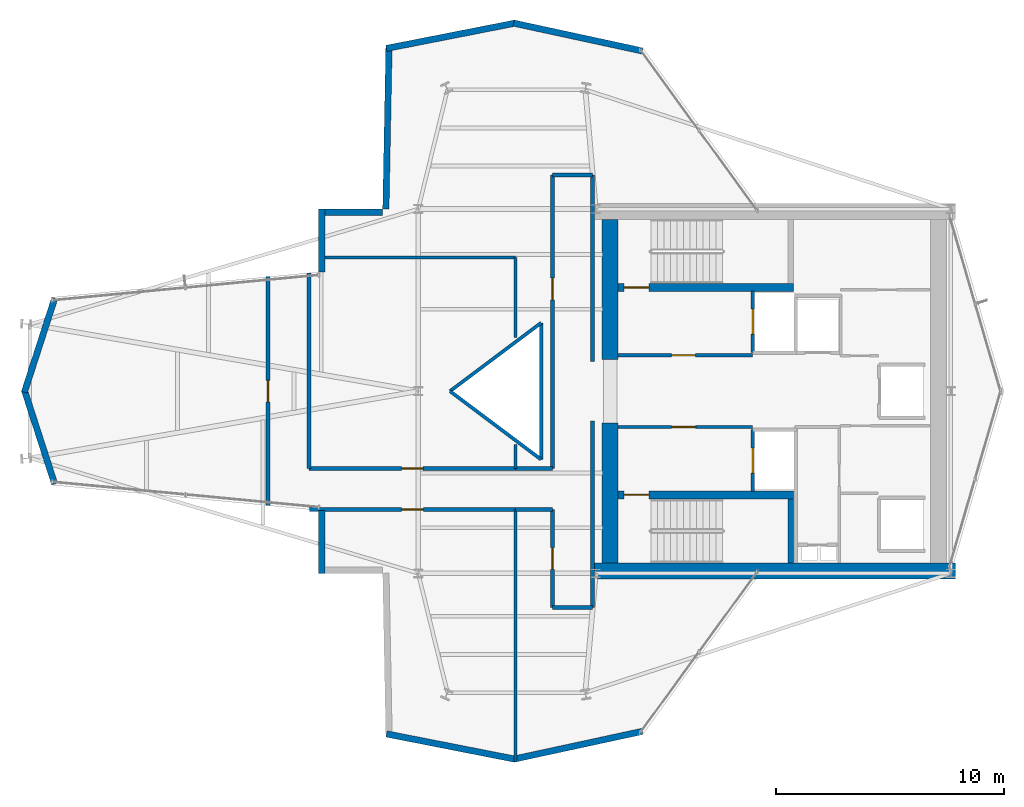
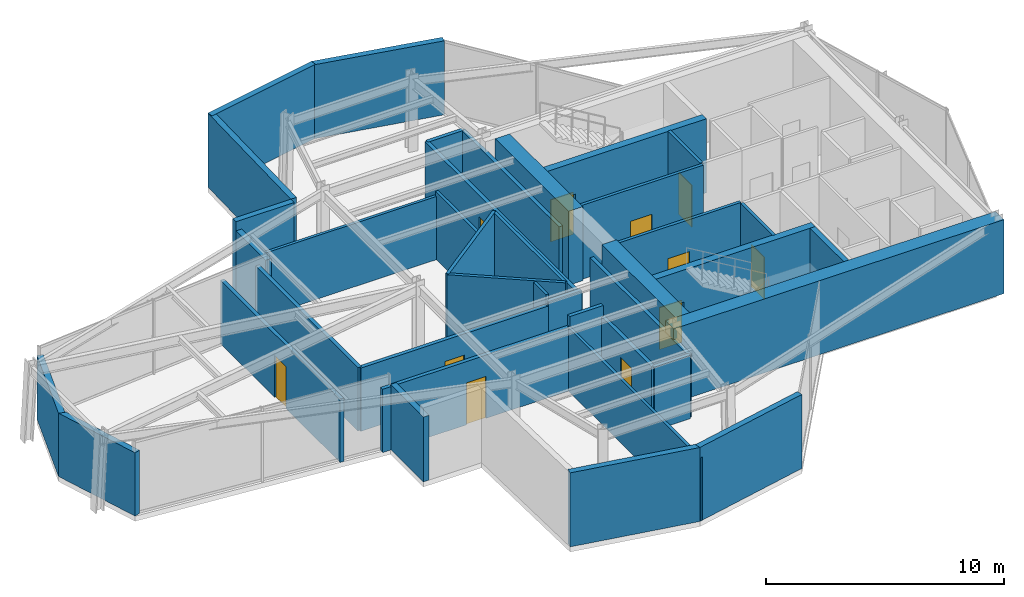
# One storey, part 19 of 21: 39 walls, 11 doors, 11 openings.
"""IFC4 building model written with IfcOpenShell, lengths in metres."""

from ifc_helpers import new_model, si_unit, direction, frame, frame_2d, origin, place, context, subcontext, project, spatial, rectangle, extrude, material, layer, layer_set, type_object, element, fill, save


model = new_model("IFC4")

# Units and contexts
model_context = context("Model", 3, precision=1e-05, world=origin(), true_north=direction((0.0, 1.0)))
body_context = subcontext(model_context, "Body", "Model", "MODEL_VIEW")
ifc_project = project(units=[si_unit("LENGTHUNIT", "METRE"), si_unit("AREAUNIT", "SQUARE_METRE"), si_unit("VOLUMEUNIT", "CUBIC_METRE"), si_unit("PLANEANGLEUNIT", "RADIAN"), si_unit("MASSUNIT", "GRAM", prefix="KILO")], contexts=[model_context])

# Site, building, storey
site_placement = place(None, origin())
site = spatial("IfcSite", under=ifc_project, at=site_placement, CompositionType="ELEMENT")
building_placement = place(site_placement, origin())
building = spatial("IfcBuilding", under=site, at=building_placement, Name="Veymaron Broadcast Tower", CompositionType="ELEMENT")
storey_placement = place(building_placement, frame((0.0, 0.0, 232.35009765625)))
storey = spatial("IfcBuildingStorey", under=building, at=storey_placement, Name="L54", CompositionType="ELEMENT", Elevation=232.35009765625)

# Walls
ifc_material_1 = material(Name="Precast concrete C40/50", Category="concrete")
ifc_layer_1 = layer(ifc_material_1, 0.280029296875)
ifc_layer_set_1 = layer_set([ifc_layer_1], Name="Precast concrete C40/50")
wall_type_1 = type_object("IfcWallType", Name="WALL-EXT-280", PredefinedType="STANDARD", material=ifc_layer_set_1)
wall_1_placement = place(storey_placement, frame((41.038818359375, 38.9453125, 0.0), z_axis=(0.0, 0.0, 1.0), x_axis=(-0.977403545606, 0.211381903286, 0.0)))
element("IfcWall", 1, at=wall_1_placement, inside=storey, type_object=wall_type_1, Name="L54 notched corner facade pier 6-1", PredefinedType="STANDARD", context=body_context, shape_type="SweptSolid", body=[
    extrude(rectangle(XDim=5.776123046875, YDim=0.280029296875, at=frame_2d((2.88818359375, 0.0))), origin(), (0.0, 0.0, 1.0), 3.789794921875),
])
wall_2_placement = place(storey_placement, frame((35.449951171875, 40.16552734375, 0.0), z_axis=(0.0, 0.0, 1.0), x_axis=(-0.981218426529, -0.192899972626, 0.0)))
element("IfcWall", 2, at=wall_2_placement, inside=storey, type_object=wall_type_1, Name="L54 notched corner facade pier 7-1", PredefinedType="STANDARD", context=body_context, shape_type="SweptSolid", body=[
    extrude(rectangle(XDim=5.753662109375, YDim=0.280029296875, at=frame_2d((2.876953125, 0.0))), origin(), (0.0, 0.0, 1.0), 3.789794921875),
])
wall_3_placement = place(storey_placement, frame((29.91748046875, 39.190185546875, 0.0), z_axis=(0.0, 0.0, 1.0), x_axis=(-0.019207643139, -0.999815516205, 0.0)))
element("IfcWall", 3, at=wall_3_placement, inside=storey, type_object=wall_type_1, Name="L54 notched corner facade pier 8-1", PredefinedType="STANDARD", context=body_context, shape_type="SweptSolid", body=[
    extrude(rectangle(XDim=7.194091796875, YDim=0.280029296875, at=frame_2d((3.59716796875, 0.0))), origin(), (0.0, 0.0, 1.0), 3.789794921875),
])
wall_4_placement = place(storey_placement, frame((29.639404296875, 31.860107421875, 0.0), z_axis=(0.0, 0.0, 1.0), x_axis=(-1.0, 0.0, 0.0)))
element("IfcWall", 4, at=wall_4_placement, inside=storey, type_object=wall_type_1, Name="L54 notched corner facade pier 9-1", PredefinedType="STANDARD", context=body_context, shape_type="SweptSolid", body=[
    extrude(rectangle(XDim=2.8154296875, YDim=0.280029296875, at=frame_2d((1.40771484375, 0.0))), origin(), (0.0, 0.0, 1.0), 3.789794921875),
])
wall_5_placement = place(storey_placement, frame((26.964111328125, 32.0, 0.0), z_axis=(0.0, 0.0, 1.0), x_axis=(0.0, -1.0, 0.0)))
element("IfcWall", 5, at=wall_5_placement, inside=storey, type_object=wall_type_1, Name="L54 notched corner facade pier 10-1", PredefinedType="STANDARD", context=body_context, shape_type="SweptSolid", body=[
    extrude(rectangle(XDim=2.761474609375, YDim=0.280029296875, at=frame_2d((1.380859375, 0.0))), origin(), (0.0, 0.0, 1.0), 3.31884765625),
])
for number, where, z_axis, x_axis, name in (
    (6, (15.233154296875, 28.08251953125, 0.0), (0.0, 0.0, 1.0), (-0.307259454532, -0.951625781282, 0.0), "L54 notched corner facade pier 12-1"),
    (7, (13.901123046875, 24.04296875, 0.0), (0.0, 0.0, 1.0), (0.307259454532, -0.951625781282, 0.0), "L54 notched corner facade pier 13-1"),
):
    element("IfcWall", number, at=place(storey_placement, frame(where, z_axis=z_axis, x_axis=x_axis)), inside=storey, type_object=wall_type_1, Name=name, PredefinedType="STANDARD", context=body_context, shape_type="SweptSolid", body=[
        extrude(rectangle(XDim=4.335205078125, YDim=0.280029296875, at=frame_2d((2.16748046875, 0.0))), origin(), (0.0, 0.0, 1.0), 3.240966796875),
    ])
wall_6_placement = place(storey_placement, frame((26.964111328125, 18.761474609375, 0.0), z_axis=(0.0, 0.0, 1.0), x_axis=(0.0, -1.0, 0.0)))
element("IfcWall", 8, at=wall_6_placement, inside=storey, type_object=wall_type_1, Name="L54 notched corner facade pier 15-1", PredefinedType="STANDARD", context=body_context, shape_type="SweptSolid", body=[
    extrude(rectangle(XDim=2.761474609375, YDim=0.280029296875, at=frame_2d((1.380859375, 0.0))), origin(), (0.0, 0.0, 1.0), 3.31884765625),
])
wall_7_placement = place(storey_placement, frame((29.804443359375, 8.9443359375, 0.0), z_axis=(0.0, 0.0, 1.0), x_axis=(0.981218426529, -0.192899972626, 0.0)))
element("IfcWall", 9, at=wall_7_placement, inside=storey, type_object=wall_type_1, Name="L54 notched corner facade pier 18-1", PredefinedType="STANDARD", context=body_context, shape_type="SweptSolid", body=[
    extrude(rectangle(XDim=5.753662109375, YDim=0.280029296875, at=frame_2d((2.876953125, 0.0))), origin(), (0.0, 0.0, 1.0), 3.789794921875),
])
wall_8_placement = place(storey_placement, frame((35.393310546875, 7.833740234375, 0.0), z_axis=(0.0, 0.0, 1.0), x_axis=(0.977403545606, 0.211381903286, 0.0)))
element("IfcWall", 10, at=wall_8_placement, inside=storey, type_object=wall_type_1, Name="L54 notched corner facade pier 19-1", PredefinedType="STANDARD", context=body_context, shape_type="SweptSolid", body=[
    extrude(rectangle(XDim=5.776123046875, YDim=0.280029296875, at=frame_2d((2.88818359375, 0.0))), origin(), (0.0, 0.0, 1.0), 3.789794921875),
])

# Wall, opening, door
ifc_material_2 = material(Name="Gypsum fireboard and steel stud framing", Category="steel")
ifc_layer_2 = layer(ifc_material_2, 0.14990234375)
ifc_layer_set_2 = layer_set([ifc_layer_2], Name="Gypsum fireboard and steel stud framing")
wall_type_2 = type_object("IfcWallType", Name="WALL-FIRE-150", PredefinedType="PARTITIONING", material=ifc_layer_set_2)
wall_9_placement = place(storey_placement, frame((39.97998046875, 25.574951171875, 0.0), z_axis=(0.0, 0.0, 1.0), x_axis=(1.0, 0.0, 0.0)))
wall_9 = element("IfcWall", 11, at=wall_9_placement, inside=storey, type_object=wall_type_2, Name="L54 partition IW-L54-FFLN-S", PredefinedType="PARTITIONING", context=body_context, shape_type="SweptSolid", body=[
    extrude(rectangle(XDim=5.89990234375, YDim=0.14990234375, at=frame_2d((2.949951171875, 0.0))), origin(), (0.0, 0.0, 1.0), 3.789794921875),
])
opening_1_placement = place(wall_9_placement, frame((2.35009765625, 0.0, 0.0)))
opening_1 = element("IfcOpeningElement", 12, at=opening_1_placement, cuts=wall_9, Name="Opening ID-FL1", PredefinedType="OPENING", context=body_context, shape_type="SweptSolid", body=[
    extrude(rectangle(XDim=1.050048828125, YDim=2.14990234375, at=frame_2d((0.52490234375, 1.074951171875))), frame((0.0, 0.0849609375, 0.0), z_axis=(0.0, -1.0, 0.0), x_axis=(1.0, 0.0, 0.0)), (0.0, 0.0, 1.0), 0.169921875),
])
ifc_material_3 = material(Name="Fire-rated painted hollow steel ASTM A653", Category="steel")
door_type_1 = type_object("IfcDoorType", Name="DOOR-FIRE-1050", OperationType="NOTDEFINED", PredefinedType="DOOR", material=ifc_material_3)
door_1_placement = place(opening_1_placement, origin())
door_1 = element("IfcDoor", 13, at=door_1_placement, inside=storey, type_object=door_type_1, Name="L54 door DR-L54-FFLN", OperationType="SINGLE_SWING_LEFT", OverallHeight=2.14990234375, OverallWidth=1.050048828125, PredefinedType="DOOR", context=body_context, shape_type="SweptSolid", body=[
    extrude(rectangle(XDim=1.050048828125, YDim=2.14990234375, at=frame_2d((0.52490234375, 1.074951171875))), frame((0.0, 0.02490234375, 0.0), z_axis=(0.0, -1.0, 0.0), x_axis=(1.0, 0.0, 0.0)), (0.0, 0.0, 1.0), 0.050048828125),
])
fill(opening_1, door_1)

wall_10_placement = place(storey_placement, frame((39.97998046875, 22.425048828125, 0.0), z_axis=(0.0, 0.0, 1.0), x_axis=(1.0, 0.0, 0.0)))
wall_10 = element("IfcWall", 14, at=wall_10_placement, inside=storey, type_object=wall_type_2, Name="L54 partition IW-L54-FFLS-N", PredefinedType="PARTITIONING", context=body_context, shape_type="SweptSolid", body=[
    extrude(rectangle(XDim=5.89990234375, YDim=0.14990234375, at=frame_2d((2.949951171875, 0.0))), origin(), (0.0, 0.0, 1.0), 3.789794921875),
])
opening_2_placement = place(wall_10_placement, frame((2.35009765625, 0.0, 0.0)))
opening_2 = element("IfcOpeningElement", 15, at=opening_2_placement, cuts=wall_10, Name="Opening ID-FL1", PredefinedType="OPENING", context=body_context, shape_type="SweptSolid", body=[
    extrude(rectangle(XDim=1.050048828125, YDim=2.14990234375, at=frame_2d((0.52490234375, 1.074951171875))), frame((0.0, 0.0849609375, 0.0), z_axis=(0.0, -1.0, 0.0), x_axis=(1.0, 0.0, 0.0)), (0.0, 0.0, 1.0), 0.169921875),
])
door_2_placement = place(opening_2_placement, frame((1.050048828125, 0.0, 0.0), z_axis=(0.0, 0.0, 1.0), x_axis=(-1.0, 0.0, 0.0)))
door_2 = element("IfcDoor", 16, at=door_2_placement, inside=storey, type_object=door_type_1, Name="L54 door DR-L54-FFLS", OperationType="SINGLE_SWING_RIGHT", OverallHeight=2.14990234375, OverallWidth=1.050048828125, PredefinedType="DOOR", context=body_context, shape_type="SweptSolid", body=[
    extrude(rectangle(XDim=1.050048828125, YDim=2.14990234375, at=frame_2d((0.52490234375, 1.074951171875))), frame((0.0, 0.02490234375, 0.0), z_axis=(0.0, -1.0, 0.0), x_axis=(1.0, 0.0, 0.0)), (0.0, 0.0, 1.0), 0.050048828125),
])
fill(opening_2, door_2)

wall_11_placement = place(storey_placement, frame((45.89501953125, 25.68994140625, 0.0), z_axis=(0.0, 0.0, 1.0), x_axis=(0.0, 1.0, 0.0)))
wall_11 = element("IfcWall", 17, at=wall_11_placement, inside=storey, type_object=wall_type_2, Name="L54 partition IW-L54-SHW-FFL-1", PredefinedType="PARTITIONING", context=body_context, shape_type="SweptSolid", body=[
    extrude(rectangle(XDim=2.719970703125, YDim=0.14990234375, at=frame_2d((1.35986328125, 0.0))), origin(), (0.0, 0.0, 1.0), 3.789794921875),
])
opening_3_placement = place(wall_11_placement, frame((0.81005859375, 0.0, 0.0)))
opening_3 = element("IfcOpeningElement", 18, at=opening_3_placement, cuts=wall_11, Name="Opening LD", PredefinedType="OPENING", context=body_context, shape_type="SweptSolid", body=[
    extrude(rectangle(XDim=1.10009765625, YDim=2.14990234375, at=frame_2d((0.550048828125, 1.074951171875))), frame((0.0, 0.0849609375, 0.0), z_axis=(0.0, -1.0, 0.0), x_axis=(1.0, 0.0, 0.0)), (0.0, 0.0, 1.0), 0.169921875),
])
ifc_material_4 = material(Name="Brushed stainless steel AISI 304", Category="steel")
door_type_2 = type_object("IfcDoorType", Name="DOOR-LIFT-1100", OperationType="DOUBLE_DOOR_SLIDING", PredefinedType="DOOR", material=ifc_material_4)
door_3_placement = place(opening_3_placement, frame((1.10009765625, 0.0, 0.0), z_axis=(0.0, 0.0, 1.0), x_axis=(-1.0, 0.0, 0.0)))
door_3 = element("IfcDoor", 19, at=door_3_placement, inside=storey, type_object=door_type_2, Name="L54 door LD-L54-FFL-1", OperationType="DOUBLE_DOOR_SLIDING", OverallHeight=2.14990234375, OverallWidth=1.10009765625, PredefinedType="DOOR", context=body_context, shape_type="SweptSolid", body=[
    extrude(rectangle(XDim=1.10009765625, YDim=2.14990234375, at=frame_2d((0.550048828125, 1.074951171875))), frame((0.0, 0.02490234375, 0.0), z_axis=(0.0, -1.0, 0.0), x_axis=(1.0, 0.0, 0.0)), (0.0, 0.0, 1.0), 0.050048828125),
])
fill(opening_3, door_3)

wall_12_placement = place(storey_placement, frame((45.89501953125, 19.590087890625, 0.0), z_axis=(0.0, 0.0, 1.0), x_axis=(0.0, 1.0, 0.0)))
wall_12 = element("IfcWall", 20, at=wall_12_placement, inside=storey, type_object=wall_type_2, Name="L54 partition IW-L54-SHW-FFL-2", PredefinedType="PARTITIONING", context=body_context, shape_type="SweptSolid", body=[
    extrude(rectangle(XDim=2.719970703125, YDim=0.14990234375, at=frame_2d((1.35986328125, 0.0))), origin(), (0.0, 0.0, 1.0), 3.789794921875),
])
opening_4_placement = place(wall_12_placement, frame((0.81005859375, 0.0, 0.0)))
opening_4 = element("IfcOpeningElement", 21, at=opening_4_placement, cuts=wall_12, Name="Opening LD", PredefinedType="OPENING", context=body_context, shape_type="SweptSolid", body=[
    extrude(rectangle(XDim=1.10009765625, YDim=2.14990234375, at=frame_2d((0.550048828125, 1.074951171875))), frame((0.0, 0.0849609375, 0.0), z_axis=(0.0, -1.0, 0.0), x_axis=(1.0, 0.0, 0.0)), (0.0, 0.0, 1.0), 0.169921875),
])
door_4_placement = place(opening_4_placement, frame((1.10009765625, 0.0, 0.0), z_axis=(0.0, 0.0, 1.0), x_axis=(-1.0, 0.0, 0.0)))
door_4 = element("IfcDoor", 22, at=door_4_placement, inside=storey, type_object=door_type_2, Name="L54 door LD-L54-FFL-2", OperationType="DOUBLE_DOOR_SLIDING", OverallHeight=2.14990234375, OverallWidth=1.10009765625, PredefinedType="DOOR", context=body_context, shape_type="SweptSolid", body=[
    extrude(rectangle(XDim=1.10009765625, YDim=2.14990234375, at=frame_2d((0.550048828125, 1.074951171875))), frame((0.0, 0.02490234375, 0.0), z_axis=(0.0, -1.0, 0.0), x_axis=(1.0, 0.0, 0.0)), (0.0, 0.0, 1.0), 0.050048828125),
])
fill(opening_4, door_4)

ifc_material_5 = material(Name="Concrete C40/50", Category="concrete")
ifc_layer_3 = layer(ifc_material_5, 0.179931640625)
ifc_layer_set_3 = layer_set([ifc_layer_3], Name="Concrete C40/50")
wall_type_3 = type_object("IfcWallType", Name="WALL-FIRE-180", PredefinedType="SOLIDWALL", material=ifc_layer_set_3)
wall_13_placement = place(storey_placement, frame((37.10009765625, 14.5, 0.0), z_axis=(0.0, 0.0, 1.0), x_axis=(0.0, 1.0, 0.0)))
wall_13 = element("IfcWall", 23, at=wall_13_placement, inside=storey, type_object=wall_type_3, Name="L54 partition IW-L54-P02", PredefinedType="SOLIDWALL", context=body_context, shape_type="SweptSolid", body=[
    extrude(rectangle(XDim=4.300048828125, YDim=0.179931640625, at=frame_2d((2.14990234375, 0.0))), origin(), (0.0, 0.0, 1.0), 3.240966796875),
])
opening_5_placement = place(wall_13_placement, frame((1.675048828125, 0.0, 0.0)))
opening_5 = element("IfcOpeningElement", 24, at=opening_5_placement, cuts=wall_13, Name="Opening ID-RM1", PredefinedType="OPENING", context=body_context, shape_type="SweptSolid", body=[
    extrude(rectangle(XDim=0.949951171875, YDim=2.14990234375, at=frame_2d((0.47509765625, 1.074951171875))), frame((0.0, 0.10009765625, 0.0), z_axis=(0.0, -1.0, 0.0), x_axis=(1.0, 0.0, 0.0)), (0.0, 0.0, 1.0), 0.199951171875),
])
ifc_material_6 = material(Name="Acoustic solid-core European oak veneer timber", Category="wood")
door_type_3 = type_object("IfcDoorType", Name="DOOR-INT-950", OperationType="NOTDEFINED", PredefinedType="DOOR", material=ifc_material_6)
door_5_placement = place(opening_5_placement, origin())
door_5 = element("IfcDoor", 25, at=door_5_placement, inside=storey, type_object=door_type_3, Name="L54 door DR-L54-P02", OperationType="SINGLE_SWING_LEFT", OverallHeight=2.14990234375, OverallWidth=0.949951171875, PredefinedType="DOOR", context=body_context, shape_type="SweptSolid", body=[
    extrude(rectangle(XDim=0.949951171875, YDim=2.14990234375, at=frame_2d((0.47509765625, 1.074951171875))), frame((0.0, 0.02490234375, 0.0), z_axis=(0.0, -1.0, 0.0), x_axis=(1.0, 0.0, 0.0)), (0.0, 0.0, 1.0), 0.050048828125),
])
fill(opening_5, door_5)

wall_14_placement = place(storey_placement, frame((26.41845703125, 18.800048828125, 0.0), z_axis=(0.0, 0.0, 1.0), x_axis=(1.0, 0.0, 0.0)))
wall_14 = element("IfcWall", 26, at=wall_14_placement, inside=storey, type_object=wall_type_3, Name="L54 partition IW-L54-P05", PredefinedType="SOLIDWALL", context=body_context, shape_type="SweptSolid", body=[
    extrude(rectangle(XDim=9.064453125, YDim=0.179931640625, at=frame_2d((4.5322265625, 0.0))), origin(), (0.0, 0.0, 1.0), 3.240966796875),
])
opening_6_placement = place(wall_14_placement, frame((4.05712890625, 0.0, 0.0)))
opening_6 = element("IfcOpeningElement", 27, at=opening_6_placement, cuts=wall_14, Name="Opening ID-RM1", PredefinedType="OPENING", context=body_context, shape_type="SweptSolid", body=[
    extrude(rectangle(XDim=0.949951171875, YDim=2.14990234375, at=frame_2d((0.47509765625, 1.074951171875))), frame((0.0, 0.10009765625, 0.0), z_axis=(0.0, -1.0, 0.0), x_axis=(1.0, 0.0, 0.0)), (0.0, 0.0, 1.0), 0.199951171875),
])
door_6_placement = place(opening_6_placement, frame((0.949951171875, 0.0, 0.0), z_axis=(0.0, 0.0, 1.0), x_axis=(-1.0, 0.0, 0.0)))
door_6 = element("IfcDoor", 28, at=door_6_placement, inside=storey, type_object=door_type_3, Name="L54 door DR-L54-P05", OperationType="SINGLE_SWING_RIGHT", OverallHeight=2.14990234375, OverallWidth=0.949951171875, PredefinedType="DOOR", context=body_context, shape_type="SweptSolid", body=[
    extrude(rectangle(XDim=0.949951171875, YDim=2.14990234375, at=frame_2d((0.47509765625, 1.074951171875))), frame((0.0, 0.02490234375, 0.0), z_axis=(0.0, -1.0, 0.0), x_axis=(1.0, 0.0, 0.0)), (0.0, 0.0, 1.0), 0.050048828125),
])
fill(opening_6, door_6)

wall_15_placement = place(storey_placement, frame((24.60009765625, 18.97265625, 0.0), z_axis=(0.0, 0.0, 1.0), x_axis=(0.0, 1.0, 0.0)))
wall_15 = element("IfcWall", 29, at=wall_15_placement, inside=storey, type_object=wall_type_3, Name="L54 partition IW-L54-P06", PredefinedType="SOLIDWALL", context=body_context, shape_type="SweptSolid", body=[
    extrude(rectangle(XDim=10.0546875, YDim=0.179931640625, at=frame_2d((5.02734375, 0.0))), origin(), (0.0, 0.0, 1.0), 3.240966796875),
])
opening_7_placement = place(wall_15_placement, frame((4.552490234375, 0.0, 0.0)))
opening_7 = element("IfcOpeningElement", 30, at=opening_7_placement, cuts=wall_15, Name="Opening ID-RM1", PredefinedType="OPENING", context=body_context, shape_type="SweptSolid", body=[
    extrude(rectangle(XDim=0.949951171875, YDim=2.14990234375, at=frame_2d((0.47509765625, 1.074951171875))), frame((0.0, 0.10009765625, 0.0), z_axis=(0.0, -1.0, 0.0), x_axis=(1.0, 0.0, 0.0)), (0.0, 0.0, 1.0), 0.199951171875),
])
door_7_placement = place(opening_7_placement, origin())
door_7 = element("IfcDoor", 31, at=door_7_placement, inside=storey, type_object=door_type_3, Name="L54 door DR-L54-P06", OperationType="SINGLE_SWING_LEFT", OverallHeight=2.14990234375, OverallWidth=0.949951171875, PredefinedType="DOOR", context=body_context, shape_type="SweptSolid", body=[
    extrude(rectangle(XDim=0.949951171875, YDim=2.14990234375, at=frame_2d((0.47509765625, 1.074951171875))), frame((0.0, 0.02490234375, 0.0), z_axis=(0.0, -1.0, 0.0), x_axis=(1.0, 0.0, 0.0)), (0.0, 0.0, 1.0), 0.050048828125),
])
fill(opening_7, door_7)

wall_16_placement = place(storey_placement, frame((26.39990234375, 20.60009765625, 0.0), z_axis=(0.0, 0.0, 1.0), x_axis=(1.0, 0.0, 0.0)))
wall_16 = element("IfcWall", 32, at=wall_16_placement, inside=storey, type_object=wall_type_3, Name="L54 partition IW-L54-P07", PredefinedType="SOLIDWALL", context=body_context, shape_type="SweptSolid", body=[
    extrude(rectangle(XDim=9.0830078125, YDim=0.179931640625, at=frame_2d((4.54150390625, 0.0))), origin(), (0.0, 0.0, 1.0), 3.240966796875),
])
opening_8_placement = place(wall_16_placement, frame((4.06640625, 0.0, 0.0)))
opening_8 = element("IfcOpeningElement", 33, at=opening_8_placement, cuts=wall_16, Name="Opening ID-RM1", PredefinedType="OPENING", context=body_context, shape_type="SweptSolid", body=[
    extrude(rectangle(XDim=0.949951171875, YDim=2.14990234375, at=frame_2d((0.47509765625, 1.074951171875))), frame((0.0, 0.10009765625, 0.0), z_axis=(0.0, -1.0, 0.0), x_axis=(1.0, 0.0, 0.0)), (0.0, 0.0, 1.0), 0.199951171875),
])
door_8_placement = place(opening_8_placement, origin())
door_8 = element("IfcDoor", 34, at=door_8_placement, inside=storey, type_object=door_type_3, Name="L54 door DR-L54-P07", OperationType="SINGLE_SWING_RIGHT", OverallHeight=2.14990234375, OverallWidth=0.949951171875, PredefinedType="DOOR", context=body_context, shape_type="SweptSolid", body=[
    extrude(rectangle(XDim=0.949951171875, YDim=2.14990234375, at=frame_2d((0.47509765625, 1.074951171875))), frame((0.0, 0.02490234375, 0.0), z_axis=(0.0, -1.0, 0.0), x_axis=(1.0, 0.0, 0.0)), (0.0, 0.0, 1.0), 0.050048828125),
])
fill(opening_8, door_8)

wall_17_placement = place(storey_placement, frame((37.10009765625, 20.60009765625, 0.0), z_axis=(0.0, 0.0, 1.0), x_axis=(0.0, 1.0, 0.0)))
wall_17 = element("IfcWall", 35, at=wall_17_placement, inside=storey, type_object=wall_type_3, Name="L54 partition IW-L54-P09", PredefinedType="SOLIDWALL", context=body_context, shape_type="SweptSolid", body=[
    extrude(rectangle(XDim=12.89990234375, YDim=0.179931640625, at=frame_2d((6.449951171875, 0.0))), origin(), (0.0, 0.0, 1.0), 3.240966796875),
])
opening_9_placement = place(wall_17_placement, frame((7.4150390625, 0.0, 0.0)))
opening_9 = element("IfcOpeningElement", 36, at=opening_9_placement, cuts=wall_17, Name="Opening ID-RM1", PredefinedType="OPENING", context=body_context, shape_type="SweptSolid", body=[
    extrude(rectangle(XDim=0.949951171875, YDim=2.14990234375, at=frame_2d((0.47509765625, 1.074951171875))), frame((0.0, 0.10009765625, 0.0), z_axis=(0.0, -1.0, 0.0), x_axis=(1.0, 0.0, 0.0)), (0.0, 0.0, 1.0), 0.199951171875),
])
door_9_placement = place(opening_9_placement, frame((0.949951171875, 0.0, 0.0), z_axis=(0.0, 0.0, 1.0), x_axis=(-1.0, 0.0, 0.0)))
door_9 = element("IfcDoor", 37, at=door_9_placement, inside=storey, type_object=door_type_3, Name="L54 door DR-L54-P09", OperationType="SINGLE_SWING_RIGHT", OverallHeight=2.14990234375, OverallWidth=0.949951171875, PredefinedType="DOOR", context=body_context, shape_type="SweptSolid", body=[
    extrude(rectangle(XDim=0.949951171875, YDim=2.14990234375, at=frame_2d((0.47509765625, 1.074951171875))), frame((0.0, 0.02490234375, 0.0), z_axis=(0.0, -1.0, 0.0), x_axis=(1.0, 0.0, 0.0)), (0.0, 0.0, 1.0), 0.050048828125),
])
fill(opening_9, door_9)

# Walls
wall_18_placement = place(storey_placement, frame((38.85009765625, 14.5, 0.0), z_axis=(0.0, 0.0, 1.0), x_axis=(0.0, 1.0, 0.0)))
element("IfcWall", 38, at=wall_18_placement, inside=storey, type_object=wall_type_3, Name="L54 partition IW-L54-P01", PredefinedType="SOLIDWALL", context=body_context, shape_type="SweptSolid", body=[
    extrude(rectangle(XDim=8.199951171875, YDim=0.179931640625, at=frame_2d((4.10009765625, 0.0))), origin(), (0.0, 0.0, 1.0), 3.240966796875),
])
wall_19_placement = place(storey_placement, frame((37.10009765625, 14.5, 0.0), z_axis=(0.0, 0.0, 1.0), x_axis=(1.0, 0.0, 0.0)))
element("IfcWall", 39, at=wall_19_placement, inside=storey, type_object=wall_type_3, Name="L54 partition IW-L54-P03", PredefinedType="SOLIDWALL", context=body_context, shape_type="SweptSolid", body=[
    extrude(rectangle(XDim=1.75, YDim=0.179931640625, at=frame_2d((0.875, 0.0))), origin(), (0.0, 0.0, 1.0), 3.240966796875),
])
wall_20_placement = place(storey_placement, frame((35.48291015625, 18.800048828125, 0.0), z_axis=(0.0, 0.0, 1.0), x_axis=(1.0, 0.0, 0.0)))
element("IfcWall", 40, at=wall_20_placement, inside=storey, type_object=wall_type_3, Name="L54 partition IW-L54-P04", PredefinedType="SOLIDWALL", context=body_context, shape_type="SweptSolid", body=[
    extrude(rectangle(XDim=1.6171875, YDim=0.179931640625, at=frame_2d((0.80859375, 0.0))), origin(), (0.0, 0.0, 1.0), 3.789794921875),
])
wall_21_placement = place(storey_placement, frame((26.39990234375, 20.60009765625, 0.0), z_axis=(0.0, 0.0, 1.0), x_axis=(0.0, 1.0, 0.0)))
element("IfcWall", 41, at=wall_21_placement, inside=storey, type_object=wall_type_3, Name="L54 partition IW-L54-P08", PredefinedType="SOLIDWALL", context=body_context, shape_type="SweptSolid", body=[
    extrude(rectangle(XDim=8.59814453125, YDim=0.179931640625, at=frame_2d((4.299072265625, 0.0))), origin(), (0.0, 0.0, 1.0), 3.240966796875),
])
wall_22_placement = place(storey_placement, frame((38.85009765625, 25.300048828125, 0.0), z_axis=(0.0, 0.0, 1.0), x_axis=(0.0, 1.0, 0.0)))
element("IfcWall", 42, at=wall_22_placement, inside=storey, type_object=wall_type_3, Name="L54 partition IW-L54-P10", PredefinedType="SOLIDWALL", context=body_context, shape_type="SweptSolid", body=[
    extrude(rectangle(XDim=8.199951171875, YDim=0.179931640625, at=frame_2d((4.10009765625, 0.0))), origin(), (0.0, 0.0, 1.0), 3.240966796875),
])
wall_23_placement = place(storey_placement, frame((37.10009765625, 33.5, 0.0), z_axis=(0.0, 0.0, 1.0), x_axis=(1.0, 0.0, 0.0)))
element("IfcWall", 43, at=wall_23_placement, inside=storey, type_object=wall_type_3, Name="L54 partition IW-L54-P11", PredefinedType="SOLIDWALL", context=body_context, shape_type="SweptSolid", body=[
    extrude(rectangle(XDim=1.75, YDim=0.179931640625, at=frame_2d((0.875, 0.0))), origin(), (0.0, 0.0, 1.0), 3.240966796875),
])
wall_24_placement = place(storey_placement, frame((35.48291015625, 20.60009765625, 0.0), z_axis=(0.0, 0.0, 1.0), x_axis=(1.0, 0.0, 0.0)))
element("IfcWall", 44, at=wall_24_placement, inside=storey, type_object=wall_type_3, Name="L54 partition IW-L54-P12", PredefinedType="SOLIDWALL", context=body_context, shape_type="SweptSolid", body=[
    extrude(rectangle(XDim=1.6171875, YDim=0.179931640625, at=frame_2d((0.80859375, 0.0))), origin(), (0.0, 0.0, 1.0), 3.468017578125),
])
ifc_material_7 = material(Name="Fire-rated laminated glass in aluminium frame", Category="aluminium")
ifc_layer_4 = layer(ifc_material_7, 0.14990234375)
ifc_layer_set_4 = layer_set([ifc_layer_4], Name="Fire-rated laminated glass in aluminium frame")
wall_type_4 = type_object("IfcWallType", Name="WALL-GLZ-150", PredefinedType="MOVABLE", material=ifc_layer_set_4)
wall_25_placement = place(storey_placement, frame((32.60009765625, 24.0, 0.0), z_axis=(0.0, 0.0, 1.0), x_axis=(0.8, -0.6, 0.0)))
element("IfcWall", 45, at=wall_25_placement, inside=storey, type_object=wall_type_4, Name="L54 partition IW-L54-ATR1", PredefinedType="MOVABLE", context=body_context, shape_type="SweptSolid", body=[
    extrude(rectangle(XDim=5.0, YDim=0.14990234375, at=frame_2d((2.5, 0.0))), origin(), (0.0, 0.0, 1.0), 3.789794921875),
])
wall_26_placement = place(storey_placement, frame((36.60009765625, 21.0, 0.0), z_axis=(0.0, 0.0, 1.0), x_axis=(0.0, 1.0, 0.0)))
element("IfcWall", 46, at=wall_26_placement, inside=storey, type_object=wall_type_4, Name="L54 partition IW-L54-ATR2", PredefinedType="MOVABLE", context=body_context, shape_type="SweptSolid", body=[
    extrude(rectangle(XDim=6.0, YDim=0.14990234375, at=frame_2d((3.0, 0.0))), origin(), (0.0, 0.0, 1.0), 3.789794921875),
])
wall_27_placement = place(storey_placement, frame((36.60009765625, 27.0, 0.0), z_axis=(0.0, 0.0, 1.0), x_axis=(-0.8, -0.6, 0.0)))
element("IfcWall", 47, at=wall_27_placement, inside=storey, type_object=wall_type_4, Name="L54 partition IW-L54-ATR3", PredefinedType="MOVABLE", context=body_context, shape_type="SweptSolid", body=[
    extrude(rectangle(XDim=5.0, YDim=0.14990234375, at=frame_2d((2.5, 0.0))), origin(), (0.0, 0.0, 1.0), 3.789794921875),
])
ifc_material_8 = material(Name="Double-layer acoustic gypsum and stud", Category="gypsum")
ifc_layer_5 = layer(ifc_material_8, 0.135009765625)
ifc_layer_set_5 = layer_set([ifc_layer_5], Name="Double-layer acoustic gypsum and stud")
wall_type_5 = type_object("IfcWallType", Name="WALL-PART-135", PredefinedType="PARTITIONING", material=ifc_layer_set_5)
wall_28_placement = place(storey_placement, frame((35.48291015625, 7.7099609375, 0.0), z_axis=(0.0, 0.0, 1.0), x_axis=(0.0, 1.0, 0.0)))
element("IfcWall", 48, at=wall_28_placement, inside=storey, type_object=wall_type_5, Name="L54 partition IW-L54-P13", PredefinedType="PARTITIONING", context=body_context, shape_type="SweptSolid", body=[
    extrude(rectangle(XDim=11.090087890625, YDim=0.135009765625, at=frame_2d((5.544921875, 0.0))), origin(), (0.0, 0.0, 1.0), 3.240966796875),
])
wall_29_placement = place(storey_placement, frame((26.823974609375, 29.868896484375, 0.0), z_axis=(0.0, 0.0, 1.0), x_axis=(1.0, 0.0, 0.0)))
element("IfcWall", 49, at=wall_29_placement, inside=storey, type_object=wall_type_5, Name="L54 partition IW-L54-P14", PredefinedType="PARTITIONING", context=body_context, shape_type="SweptSolid", body=[
    extrude(rectangle(XDim=8.658935546875, YDim=0.135009765625, at=frame_2d((4.32958984375, 0.0))), origin(), (0.0, 0.0, 1.0), 3.240966796875),
])
wall_30_placement = place(storey_placement, frame((35.48291015625, 26.349853515625, 0.0), z_axis=(0.0, 0.0, 1.0), x_axis=(0.0, 1.0, 0.0)))
element("IfcWall", 50, at=wall_30_placement, inside=storey, type_object=wall_type_5, Name="L54 partition IW-L54-P15", PredefinedType="PARTITIONING", context=body_context, shape_type="SweptSolid", body=[
    extrude(rectangle(XDim=3.51904296875, YDim=0.135009765625, at=frame_2d((1.759521484375, 0.0))), origin(), (0.0, 0.0, 1.0), 3.468017578125),
])
wall_31_placement = place(storey_placement, frame((35.48291015625, 20.60009765625, 0.0), z_axis=(0.0, 0.0, 1.0), x_axis=(0.0, 1.0, 0.0)))
element("IfcWall", 51, at=wall_31_placement, inside=storey, type_object=wall_type_5, Name="L54 partition IW-L54-P16", PredefinedType="PARTITIONING", context=body_context, shape_type="SweptSolid", body=[
    extrude(rectangle(XDim=1.050048828125, YDim=0.135009765625, at=frame_2d((0.52490234375, 0.0))), origin(), (0.0, 0.0, 1.0), 3.789794921875),
])
ifc_material_9 = material(Name="Concrete C50/60", Category="concrete")
ifc_layer_6 = layer(ifc_material_9, 0.25)
ifc_layer_set_6 = layer_set([ifc_layer_6], Name="Concrete C50/60")
wall_type_6 = type_object("IfcWallType", Name="WALL-SHEAR-250", PredefinedType="SHEAR", material=ifc_layer_set_6)
wall_32_placement = place(storey_placement, frame((47.56494140625, 16.449951171875, 0.0), z_axis=(0.0, 0.0, 1.0), x_axis=(0.0, 1.0, 0.0)))
element("IfcWall", 52, at=wall_32_placement, inside=storey, type_object=wall_type_6, Name="L54 Core Wall south stair east shear", PredefinedType="SHEAR", context=body_context, shape_type="SweptSolid", body=[
    extrude(rectangle(XDim=2.820068359375, YDim=0.25, at=frame_2d((1.41015625, 0.0))), origin(), (0.0, 0.0, 1.0), 3.789794921875),
])

# Wall, opening, door
ifc_layer_7 = layer(ifc_material_9, 0.35009765625)
ifc_layer_set_7 = layer_set([ifc_layer_7], Name="Concrete C50/60")
wall_type_7 = type_object("IfcWallType", Name="WALL-SHEAR-350", PredefinedType="SHEAR", material=ifc_layer_set_7)
wall_33_placement = place(storey_placement, frame((39.97998046875, 28.554931640625, 0.0), z_axis=(0.0, 0.0, 1.0), x_axis=(1.0, 0.0, 0.0)))
wall_33 = element("IfcWall", 53, at=wall_33_placement, inside=storey, type_object=wall_type_7, Name="L54 Core Wall north stair spine", PredefinedType="SHEAR", context=body_context, shape_type="SweptSolid", body=[
    extrude(rectangle(XDim=7.7099609375, YDim=0.35009765625, at=frame_2d((3.85498046875, 0.0))), origin(), (0.0, 0.0, 1.0), 3.789794921875),
])
opening_10_placement = place(wall_33_placement, frame((0.25, 0.0, 0.0)))
opening_10 = element("IfcOpeningElement", 54, at=opening_10_placement, cuts=wall_33, Name="Opening ID-ST1", PredefinedType="OPENING", context=body_context, shape_type="SweptSolid", body=[
    extrude(rectangle(XDim=1.10009765625, YDim=2.14990234375, at=frame_2d((0.550048828125, 1.074951171875))), frame((0.0, 0.18505859375, 0.0), z_axis=(0.0, -1.0, 0.0), x_axis=(1.0, 0.0, 0.0)), (0.0, 0.0, 1.0), 0.3701171875),
])
door_type_4 = type_object("IfcDoorType", Name="DOOR-STAIR-1100", OperationType="NOTDEFINED", PredefinedType="DOOR", material=ifc_material_3)
door_10_placement = place(opening_10_placement, origin())
door_10 = element("IfcDoor", 55, at=door_10_placement, inside=storey, type_object=door_type_4, Name="L54 exit stair ST1 fire door", OperationType="SINGLE_SWING_LEFT", OverallHeight=2.14990234375, OverallWidth=1.10009765625, PredefinedType="DOOR", context=body_context, shape_type="SweptSolid", body=[
    extrude(rectangle(XDim=1.10009765625, YDim=2.14990234375, at=frame_2d((0.550048828125, 1.074951171875))), frame((0.0, 0.02490234375, 0.0), z_axis=(0.0, -1.0, 0.0), x_axis=(1.0, 0.0, 0.0)), (0.0, 0.0, 1.0), 0.050048828125),
])
fill(opening_10, door_10)

wall_34_placement = place(storey_placement, frame((39.97998046875, 19.445068359375, 0.0), z_axis=(0.0, 0.0, 1.0), x_axis=(1.0, 0.0, 0.0)))
wall_34 = element("IfcWall", 56, at=wall_34_placement, inside=storey, type_object=wall_type_7, Name="L54 Core Wall south stair spine", PredefinedType="SHEAR", context=body_context, shape_type="SweptSolid", body=[
    extrude(rectangle(XDim=7.7099609375, YDim=0.35009765625, at=frame_2d((3.85498046875, 0.0))), origin(), (0.0, 0.0, 1.0), 3.789794921875),
])
opening_11_placement = place(wall_34_placement, frame((0.25, 0.0, 0.0)))
opening_11 = element("IfcOpeningElement", 57, at=opening_11_placement, cuts=wall_34, Name="Opening ID-ST1", PredefinedType="OPENING", context=body_context, shape_type="SweptSolid", body=[
    extrude(rectangle(XDim=1.10009765625, YDim=2.14990234375, at=frame_2d((0.550048828125, 1.074951171875))), frame((0.0, 0.18505859375, 0.0), z_axis=(0.0, -1.0, 0.0), x_axis=(1.0, 0.0, 0.0)), (0.0, 0.0, 1.0), 0.3701171875),
])
door_11_placement = place(opening_11_placement, frame((1.10009765625, 0.0, 0.0), z_axis=(0.0, 0.0, 1.0), x_axis=(-1.0, 0.0, 0.0)))
door_11 = element("IfcDoor", 58, at=door_11_placement, inside=storey, type_object=door_type_4, Name="L54 exit stair ST2 fire door", OperationType="SINGLE_SWING_RIGHT", OverallHeight=2.14990234375, OverallWidth=1.10009765625, PredefinedType="DOOR", context=body_context, shape_type="SweptSolid", body=[
    extrude(rectangle(XDim=1.10009765625, YDim=2.14990234375, at=frame_2d((0.550048828125, 1.074951171875))), frame((0.0, 0.02490234375, 0.0), z_axis=(0.0, -1.0, 0.0), x_axis=(1.0, 0.0, 0.0)), (0.0, 0.0, 1.0), 0.050048828125),
])
fill(opening_11, door_11)

# Walls
ifc_material_10 = material(Name="Concrete C60/75", Category="concrete")
ifc_layer_8 = layer(ifc_material_10, 0.699951171875)
ifc_layer_set_8 = layer_set([ifc_layer_8], Name="Concrete C60/75")
wall_type_8 = type_object("IfcWallType", Name="WALL-SHEAR-700", PredefinedType="SHEAR", material=ifc_layer_set_8)
wall_35_placement = place(storey_placement, frame((38.800048828125, 16.10009765625, 0.0), z_axis=(0.0, 0.0, 1.0), x_axis=(1.0, 0.0, 0.0)))
element("IfcWall", 59, at=wall_35_placement, inside=storey, type_object=wall_type_8, Name="L54 Core Wall south shear", PredefinedType="SHEAR", context=body_context, shape_type="SweptSolid", body=[
    extrude(rectangle(XDim=16.0, YDim=0.699951171875, at=frame_2d((8.0, 0.0))), origin(), (0.0, 0.0, 1.0), 3.789794921875),
])
for number, where, z_axis, x_axis, name in (
    (60, (39.6298828125, 16.449951171875, 0.0), (0.0, 0.0, 1.0), (0.0, 1.0, 0.0), "L54 Core Wall west-south shear"),
    (61, (39.6298828125, 25.39990234375, 0.0), (0.0, 0.0, 1.0), (0.0, 1.0, 0.0), "L54 Core Wall west-north shear"),
):
    element("IfcWall", number, at=place(storey_placement, frame(where, z_axis=z_axis, x_axis=x_axis)), inside=storey, type_object=wall_type_8, Name=name, PredefinedType="SHEAR", context=body_context, shape_type="SweptSolid", body=[
        extrude(rectangle(XDim=6.150146484375, YDim=0.699951171875, at=frame_2d((3.0751953125, 0.0))), origin(), (0.0, 0.0, 1.0), 3.789794921875),
    ])

save(model, "model.ifc")
